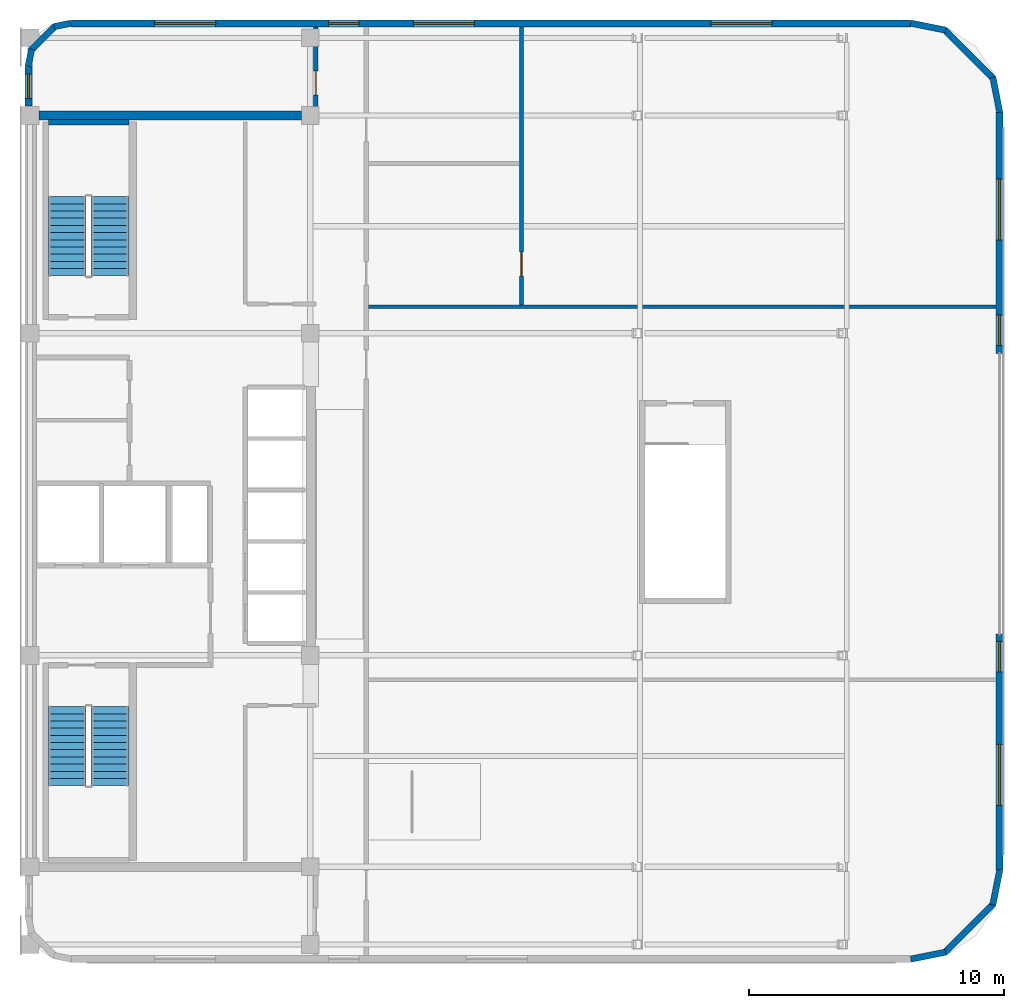
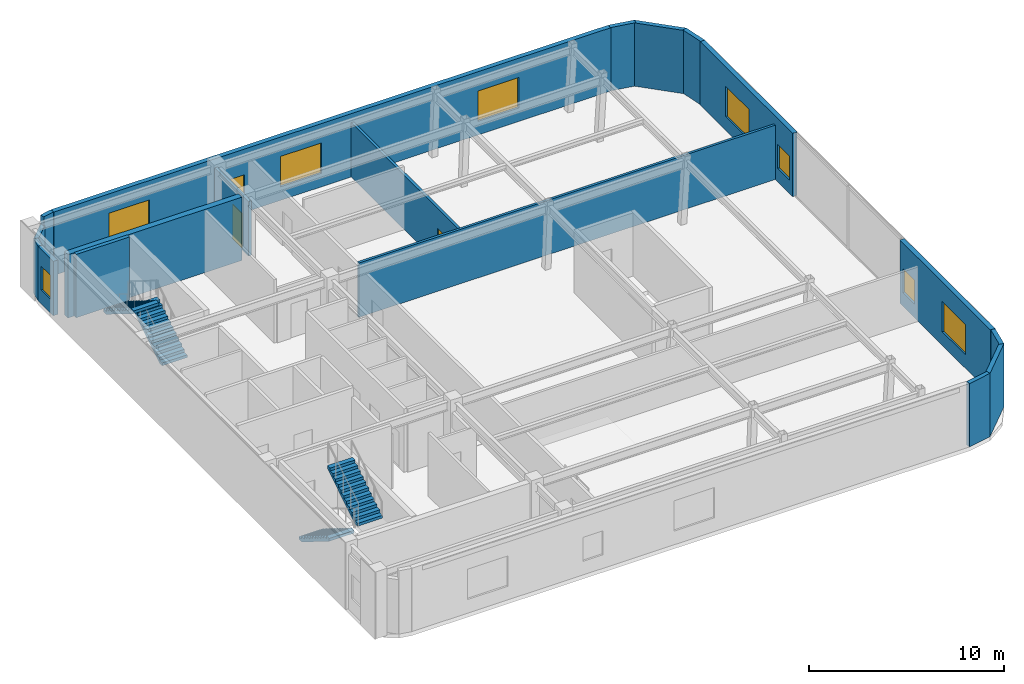
# One storey, part 5 of 8: 18 walls, 9 windows, 4 stair flights, 2 doors, 11 openings, 2 elements without a shape of their own.
"""IFC4 building model written with IfcOpenShell, lengths in metres."""

from ifc_helpers import new_model, si_unit, direction, frame, frame_2d, origin, place, context, subcontext, project, spatial, polyline, rectangle, outline, extrude, material, layer, layer_set, type_object, element, fill, aggregate, save


model = new_model("IFC4")

# Units and contexts
model_context = context("Model", 3, precision=1e-05, world=origin(), true_north=direction((0.0, 1.0)))
body_context = subcontext(model_context, "Body", "Model", "MODEL_VIEW")
ifc_project = project(units=[si_unit("LENGTHUNIT", "METRE"), si_unit("AREAUNIT", "SQUARE_METRE"), si_unit("VOLUMEUNIT", "CUBIC_METRE"), si_unit("PLANEANGLEUNIT", "RADIAN"), si_unit("MASSUNIT", "GRAM", prefix="KILO")], contexts=[model_context])

# Site, building, storey
site_placement = place(None, origin())
site = spatial("IfcSite", under=ifc_project, at=site_placement, CompositionType="ELEMENT")
building_placement = place(site_placement, origin())
building = spatial("IfcBuilding", under=site, at=building_placement, Name="Ochreholt Gables", CompositionType="ELEMENT")
storey_placement = place(building_placement, frame((0.0, 0.0, 231.0)))
storey = spatial("IfcBuildingStorey", under=building, at=storey_placement, Name="L60", CompositionType="ELEMENT", Elevation=231.0)

# Wall
ifc_material_1 = material(Name="Concrete 50 MPa", Category="concrete")
ifc_layer_1 = layer(ifc_material_1, 0.35009765625, Name="Concrete 50 MPa")
ifc_layer_set_1 = layer_set([ifc_layer_1], Name="Concrete 50 MPa")
wall_type_1 = type_object("IfcWallType", Name="WALL-CSW-350", PredefinedType="SHEAR", material=ifc_layer_set_1)
wall_1_placement = place(storey_placement, frame((24.550048828125, 38.75, 0.0), z_axis=(0.0, 0.0, 1.0), x_axis=(1.0, 0.0, 0.0)))
element("IfcWall", 1, at=wall_1_placement, inside=storey, type_object=wall_type_1, Name="L60 Core North Shear Wall", PredefinedType="SHEAR", context=body_context, shape_type="SweptSolid", body=[
    extrude(rectangle(XDim=10.300048828125, YDim=0.35009765625, at=frame_2d((5.14990234375, 0.0))), origin(), (0.0, 0.0, 1.0), 3.9599609375),
])

# Wall, openings, windows
ifc_material_2 = material(Name="Precast concrete 40 MPa", Category="concrete")
ifc_layer_2 = layer(ifc_material_2, 0.27001953125, Name="Precast concrete 40 MPa")
ifc_layer_set_2 = layer_set([ifc_layer_2], Name="Precast concrete 40 MPa")
wall_type_2 = type_object("IfcWallType", Name="WALL-EXT-270", PredefinedType="SOLIDWALL", material=ifc_layer_set_2)
wall_2_placement = place(storey_placement, frame((62.264892578125, 9.1201171875, 0.0), z_axis=(0.0, 0.0, 1.0), x_axis=(0.0, 1.0, 0.0)))
wall_2 = element("IfcWall", 2, at=wall_2_placement, inside=storey, type_object=wall_type_2, Name="L60 East Facade Wall 1", PredefinedType="SOLIDWALL", context=body_context, shape_type="SweptSolid", body=[
    extrude(rectangle(XDim=9.27978515625, YDim=0.27001953125, at=frame_2d((4.639892578125, 0.0))), origin(), (0.0, 0.0, 1.0), 3.9599609375),
])
opening_1_placement = place(wall_2_placement, frame((2.5400390625, 0.0, 0.85009765625)))
opening_1 = element("IfcOpeningElement", 3, at=opening_1_placement, cuts=wall_2, Name="Opening WN-5", PredefinedType="OPENING", context=body_context, shape_type="SweptSolid", body=[
    extrude(rectangle(XDim=2.39990234375, YDim=1.89990234375, at=frame_2d((1.199951171875, 0.949951171875))), frame((0.0, 0.14501953125, 0.0), z_axis=(0.0, -1.0, 0.0), x_axis=(1.0, 0.0, 0.0)), (0.0, 0.0, 1.0), 0.2900390625),
])
opening_2_placement = place(wall_2_placement, frame((7.780029296875, 0.0, 0.85009765625)))
opening_2 = element("IfcOpeningElement", 4, at=opening_2_placement, cuts=wall_2, Name="Opening WN-3", PredefinedType="OPENING", context=body_context, shape_type="SweptSolid", body=[
    extrude(rectangle(XDim=1.199951171875, YDim=1.5, at=frame_2d((0.60009765625, 0.75))), frame((0.0, 0.14501953125, 0.0), z_axis=(0.0, -1.0, 0.0), x_axis=(1.0, 0.0, 0.0)), (0.0, 0.0, 1.0), 0.2900390625),
])
ifc_material_3 = material(Name="Triple-Glazed Thermally Broken Aluminium Window", Category="aluminium")
window_type_1 = type_object("IfcWindowType", Name="WIN-COM-2400", PartitioningType="SINGLE_PANEL", PredefinedType="WINDOW", material=ifc_material_3)
window_1_placement = place(opening_1_placement, origin())
window_1 = element("IfcWindow", 5, at=window_1_placement, inside=storey, type_object=window_type_1, Name="L60 Window W-EXT-E1-L60-1", OverallHeight=1.89990234375, OverallWidth=2.39990234375, PartitioningType="SINGLE_PANEL", PredefinedType="WINDOW", context=body_context, shape_type="SweptSolid", body=[
    extrude(rectangle(XDim=2.39990234375, YDim=1.89990234375, at=frame_2d((1.199951171875, 0.949951171875))), frame((0.0, 0.030029296875, 0.0), z_axis=(0.0, -1.0, 0.0), x_axis=(1.0, 0.0, 0.0)), (0.0, 0.0, 1.0), 0.06005859375),
])
fill(opening_1, window_1)
window_type_2 = type_object("IfcWindowType", Name="WIN-RES-1200", PartitioningType="SINGLE_PANEL", PredefinedType="WINDOW", material=ifc_material_3)
window_2_placement = place(opening_2_placement, origin())
window_2 = element("IfcWindow", 6, at=window_2_placement, inside=storey, type_object=window_type_2, Name="L60 Window W-EXT-E1-L60-2", OverallHeight=1.5, OverallWidth=1.199951171875, PartitioningType="SINGLE_PANEL", PredefinedType="WINDOW", context=body_context, shape_type="SweptSolid", body=[
    extrude(rectangle(XDim=1.199951171875, YDim=1.5, at=frame_2d((0.60009765625, 0.75))), frame((0.0, 0.030029296875, 0.0), z_axis=(0.0, -1.0, 0.0), x_axis=(1.0, 0.0, 0.0)), (0.0, 0.0, 1.0), 0.06005859375),
])
fill(opening_2, window_2)

wall_3_placement = place(storey_placement, frame((62.264892578125, 29.39990234375, 0.0), z_axis=(0.0, 0.0, 1.0), x_axis=(0.0, 1.0, 0.0)))
wall_3 = element("IfcWall", 7, at=wall_3_placement, inside=storey, type_object=wall_type_2, Name="L60 East Facade Wall 2", PredefinedType="SOLIDWALL", context=body_context, shape_type="SweptSolid", body=[
    extrude(rectangle(XDim=9.47998046875, YDim=0.27001953125, at=frame_2d((4.739990234375, 0.0))), origin(), (0.0, 0.0, 1.0), 3.9599609375),
])
opening_3_placement = place(wall_3_placement, frame((0.320068359375, 0.0, 0.85009765625)))
opening_3 = element("IfcOpeningElement", 8, at=opening_3_placement, cuts=wall_3, Name="Opening WN-3", PredefinedType="OPENING", context=body_context, shape_type="SweptSolid", body=[
    extrude(rectangle(XDim=1.199951171875, YDim=1.5, at=frame_2d((0.60009765625, 0.75))), frame((0.0, 0.14501953125, 0.0), z_axis=(0.0, -1.0, 0.0), x_axis=(1.0, 0.0, 0.0)), (0.0, 0.0, 1.0), 0.2900390625),
])
opening_4_placement = place(wall_3_placement, frame((4.4599609375, 0.0, 0.85009765625)))
opening_4 = element("IfcOpeningElement", 9, at=opening_4_placement, cuts=wall_3, Name="Opening WN-5", PredefinedType="OPENING", context=body_context, shape_type="SweptSolid", body=[
    extrude(rectangle(XDim=2.39990234375, YDim=1.89990234375, at=frame_2d((1.199951171875, 0.949951171875))), frame((0.0, 0.14501953125, 0.0), z_axis=(0.0, -1.0, 0.0), x_axis=(1.0, 0.0, 0.0)), (0.0, 0.0, 1.0), 0.2900390625),
])
window_3_placement = place(opening_4_placement, origin())
window_3 = element("IfcWindow", 10, at=window_3_placement, inside=storey, type_object=window_type_1, Name="L60 Window W-EXT-E2-L60-2", OverallHeight=1.89990234375, OverallWidth=2.39990234375, PartitioningType="SINGLE_PANEL", PredefinedType="WINDOW", context=body_context, shape_type="SweptSolid", body=[
    extrude(rectangle(XDim=2.39990234375, YDim=1.89990234375, at=frame_2d((1.199951171875, 0.949951171875))), frame((0.0, 0.030029296875, 0.0), z_axis=(0.0, -1.0, 0.0), x_axis=(1.0, 0.0, 0.0)), (0.0, 0.0, 1.0), 0.06005859375),
])
fill(opening_4, window_3)
window_4_placement = place(opening_3_placement, origin())
window_4 = element("IfcWindow", 11, at=window_4_placement, inside=storey, type_object=window_type_2, Name="L60 Window W-EXT-E2-L60-1", OverallHeight=1.5, OverallWidth=1.199951171875, PartitioningType="SINGLE_PANEL", PredefinedType="WINDOW", context=body_context, shape_type="SweptSolid", body=[
    extrude(rectangle(XDim=1.199951171875, YDim=1.5, at=frame_2d((0.60009765625, 0.75))), frame((0.0, 0.030029296875, 0.0), z_axis=(0.0, -1.0, 0.0), x_axis=(1.0, 0.0, 0.0)), (0.0, 0.0, 1.0), 0.06005859375),
])
fill(opening_3, window_4)

wall_4_placement = place(storey_placement, frame((58.780029296875, 42.364990234375, 0.0), z_axis=(0.0, 0.0, 1.0), x_axis=(-1.0, 0.0, 0.0)))
wall_4 = element("IfcWall", 12, at=wall_4_placement, inside=storey, type_object=wall_type_2, Name="L60 North Exterior Wall", PredefinedType="SOLIDWALL", context=body_context, shape_type="SweptSolid", body=[
    extrude(rectangle(XDim=32.9599609375, YDim=0.27001953125, at=frame_2d((16.47998046875, 0.0))), origin(), (0.0, 0.0, 1.0), 3.9599609375),
])
opening_5_placement = place(wall_4_placement, frame((27.2900390625, 0.0, 0.85009765625)))
opening_5 = element("IfcOpeningElement", 13, at=opening_5_placement, cuts=wall_4, Name="Opening WN-5", PredefinedType="OPENING", context=body_context, shape_type="SweptSolid", body=[
    extrude(rectangle(XDim=2.39990234375, YDim=1.89990234375, at=frame_2d((1.199951171875, 0.949951171875))), frame((0.0, 0.14501953125, 0.0), z_axis=(0.0, -1.0, 0.0), x_axis=(1.0, 0.0, 0.0)), (0.0, 0.0, 1.0), 0.2900390625),
])
opening_6_placement = place(wall_4_placement, frame((21.659912109375, 0.0, 0.85009765625)))
opening_6 = element("IfcOpeningElement", 14, at=opening_6_placement, cuts=wall_4, Name="Opening WN-3", PredefinedType="OPENING", context=body_context, shape_type="SweptSolid", body=[
    extrude(rectangle(XDim=1.199951171875, YDim=1.5, at=frame_2d((0.60009765625, 0.75))), frame((0.0, 0.14501953125, 0.0), z_axis=(0.0, -1.0, 0.0), x_axis=(1.0, 0.0, 0.0)), (0.0, 0.0, 1.0), 0.2900390625),
])
opening_7_placement = place(wall_4_placement, frame((17.1298828125, 0.0, 0.85009765625)))
opening_7 = element("IfcOpeningElement", 15, at=opening_7_placement, cuts=wall_4, Name="Opening WN-5", PredefinedType="OPENING", context=body_context, shape_type="SweptSolid", body=[
    extrude(rectangle(XDim=2.39990234375, YDim=1.89990234375, at=frame_2d((1.199951171875, 0.949951171875))), frame((0.0, 0.14501953125, 0.0), z_axis=(0.0, -1.0, 0.0), x_axis=(1.0, 0.0, 0.0)), (0.0, 0.0, 1.0), 0.2900390625),
])
opening_8_placement = place(wall_4_placement, frame((5.444580078125, 0.0, 0.85009765625)))
opening_8 = element("IfcOpeningElement", 16, at=opening_8_placement, cuts=wall_4, Name="Opening WN-5", PredefinedType="OPENING", context=body_context, shape_type="SweptSolid", body=[
    extrude(rectangle(XDim=2.39990234375, YDim=1.89990234375, at=frame_2d((1.199951171875, 0.949951171875))), frame((0.0, 0.14501953125, 0.0), z_axis=(0.0, -1.0, 0.0), x_axis=(1.0, 0.0, 0.0)), (0.0, 0.0, 1.0), 0.2900390625),
])
window_5_placement = place(opening_5_placement, origin())
window_5 = element("IfcWindow", 17, at=window_5_placement, inside=storey, type_object=window_type_1, Name="L60 Window W-EXT-N-L60-1", OverallHeight=1.89990234375, OverallWidth=2.39990234375, PartitioningType="SINGLE_PANEL", PredefinedType="WINDOW", context=body_context, shape_type="SweptSolid", body=[
    extrude(rectangle(XDim=2.39990234375, YDim=1.89990234375, at=frame_2d((1.199951171875, 0.949951171875))), frame((0.0, 0.030029296875, 0.0), z_axis=(0.0, -1.0, 0.0), x_axis=(1.0, 0.0, 0.0)), (0.0, 0.0, 1.0), 0.06005859375),
])
fill(opening_5, window_5)
window_6_placement = place(opening_7_placement, origin())
window_6 = element("IfcWindow", 18, at=window_6_placement, inside=storey, type_object=window_type_1, Name="L60 Window W-EXT-N-L60-3", OverallHeight=1.89990234375, OverallWidth=2.39990234375, PartitioningType="SINGLE_PANEL", PredefinedType="WINDOW", context=body_context, shape_type="SweptSolid", body=[
    extrude(rectangle(XDim=2.39990234375, YDim=1.89990234375, at=frame_2d((1.199951171875, 0.949951171875))), frame((0.0, 0.030029296875, 0.0), z_axis=(0.0, -1.0, 0.0), x_axis=(1.0, 0.0, 0.0)), (0.0, 0.0, 1.0), 0.06005859375),
])
fill(opening_7, window_6)
window_7_placement = place(opening_8_placement, origin())
window_7 = element("IfcWindow", 19, at=window_7_placement, inside=storey, type_object=window_type_1, Name="L60 Window W-EXT-N-L60-4", OverallHeight=1.89990234375, OverallWidth=2.39990234375, PartitioningType="SINGLE_PANEL", PredefinedType="WINDOW", context=body_context, shape_type="SweptSolid", body=[
    extrude(rectangle(XDim=2.39990234375, YDim=1.89990234375, at=frame_2d((1.199951171875, 0.949951171875))), frame((0.0, 0.030029296875, 0.0), z_axis=(0.0, -1.0, 0.0), x_axis=(1.0, 0.0, 0.0)), (0.0, 0.0, 1.0), 0.06005859375),
])
fill(opening_8, window_7)
window_8_placement = place(opening_6_placement, origin())
window_8 = element("IfcWindow", 20, at=window_8_placement, inside=storey, type_object=window_type_2, Name="L60 Window W-EXT-N-L60-2", OverallHeight=1.5, OverallWidth=1.199951171875, PartitioningType="SINGLE_PANEL", PredefinedType="WINDOW", context=body_context, shape_type="SweptSolid", body=[
    extrude(rectangle(XDim=1.199951171875, YDim=1.5, at=frame_2d((0.60009765625, 0.75))), frame((0.0, 0.030029296875, 0.0), z_axis=(0.0, -1.0, 0.0), x_axis=(1.0, 0.0, 0.0)), (0.0, 0.0, 1.0), 0.06005859375),
])
fill(opening_6, window_8)

# Wall, opening, window
wall_5_placement = place(storey_placement, frame((24.135009765625, 39.1201171875, 0.0), z_axis=(0.0, 0.0, 1.0), x_axis=(0.0, 1.0, 0.0)))
wall_5 = element("IfcWall", 21, at=wall_5_placement, inside=storey, type_object=wall_type_2, Name="L60 West Facade North Bay Wall", PredefinedType="SOLIDWALL", context=body_context, shape_type="SweptSolid", body=[
    extrude(rectangle(XDim=1.559814453125, YDim=0.27001953125, at=frame_2d((0.77978515625, 0.0))), origin(), (0.0, 0.0, 1.0), 3.403076171875),
])
opening_9_placement = place(wall_5_placement, frame((0.304931640625, 0.0, 0.85009765625)))
opening_9 = element("IfcOpeningElement", 22, at=opening_9_placement, cuts=wall_5, Name="Opening WN-10", PredefinedType="OPENING", context=body_context, shape_type="SweptSolid", body=[
    extrude(rectangle(XDim=0.949951171875, YDim=1.5, at=frame_2d((0.47509765625, 0.75))), frame((0.0, 0.14501953125, 0.0), z_axis=(0.0, -1.0, 0.0), x_axis=(1.0, 0.0, 0.0)), (0.0, 0.0, 1.0), 0.2900390625),
])
window_type_3 = type_object("IfcWindowType", Name="WIN-RES-950", PartitioningType="SINGLE_PANEL", PredefinedType="WINDOW", material=ifc_material_3)
window_9_placement = place(opening_9_placement, origin())
window_9 = element("IfcWindow", 23, at=window_9_placement, inside=storey, type_object=window_type_3, Name="L60 North Sky Reading West Window", OverallHeight=1.5, OverallWidth=0.949951171875, PartitioningType="SINGLE_PANEL", PredefinedType="WINDOW", context=body_context, shape_type="SweptSolid", body=[
    extrude(rectangle(XDim=0.949951171875, YDim=1.5, at=frame_2d((0.47509765625, 0.75))), frame((0.0, 0.030029296875, 0.0), z_axis=(0.0, -1.0, 0.0), x_axis=(1.0, 0.0, 0.0)), (0.0, 0.0, 1.0), 0.06005859375),
])
fill(opening_9, window_9)

# Walls
ifc_layer_3 = layer(ifc_material_2, 0.25, Name="Precast concrete 40 MPa")
ifc_layer_set_3 = layer_set([ifc_layer_3], Name="Precast concrete 40 MPa")
wall_type_3 = type_object("IfcWallType", Name="WALL-EXT-CNR", PredefinedType="SOLIDWALL", material=ifc_layer_set_3)
wall_6_placement = place(storey_placement, frame((58.783447265625, 5.624267578125, 0.0), z_axis=(0.0, 0.0, 1.0), x_axis=(0.980809899341, 0.19496651342, 0.0)))
element("IfcWall", 24, at=wall_6_placement, inside=storey, type_object=wall_type_3, Name="L60 Rounded Corner Wall SE-1", PredefinedType="SOLIDWALL", context=body_context, shape_type="SweptSolid", body=[
    extrude(rectangle(XDim=1.388671875, YDim=0.25, at=frame_2d((0.6943359375, 0.0))), origin(), (0.0, 0.0, 1.0), 3.9599609375),
])
wall_7_placement = place(storey_placement, frame((60.094970703125, 5.867919921875, 0.0), z_axis=(0.0, 0.0, 1.0), x_axis=(0.707106781187, 0.707106781187, 0.0)))
element("IfcWall", 25, at=wall_7_placement, inside=storey, type_object=wall_type_3, Name="L60 Rounded Corner Wall SE-2", PredefinedType="SOLIDWALL", context=body_context, shape_type="SweptSolid", body=[
    extrude(rectangle(XDim=2.7392578125, YDim=0.25, at=frame_2d((1.36962890625, 0.0))), origin(), (0.0, 0.0, 1.0), 3.9599609375),
])
for number, where, z_axis, x_axis, name in (
    (26, (62.0048828125, 7.75439453125, 0.0), (0.0, 0.0, 1.0), (0.195135625965, 0.9807762678, 0.0), "L60 Rounded Corner Wall SE-3"),
    (27, (62.27587890625, 38.883544921875, 0.0), (0.0, 0.0, 1.0), (-0.195135625965, 0.9807762678, 0.0), "L60 Rounded Corner Wall NE-1"),
):
    element("IfcWall", number, at=place(storey_placement, frame(where, z_axis=z_axis, x_axis=x_axis)), inside=storey, type_object=wall_type_3, Name=name, PredefinedType="SOLIDWALL", context=body_context, shape_type="SweptSolid", body=[
        extrude(rectangle(XDim=1.388671875, YDim=0.25, at=frame_2d((0.6943359375, 0.0))), origin(), (0.0, 0.0, 1.0), 3.9599609375),
    ])
wall_8_placement = place(storey_placement, frame((62.031982421875, 40.195068359375, 0.0), z_axis=(0.0, 0.0, 1.0), x_axis=(-0.707106781187, 0.707106781187, 0.0)))
element("IfcWall", 28, at=wall_8_placement, inside=storey, type_object=wall_type_3, Name="L60 Rounded Corner Wall NE-2", PredefinedType="SOLIDWALL", context=body_context, shape_type="SweptSolid", body=[
    extrude(rectangle(XDim=2.7392578125, YDim=0.25, at=frame_2d((1.36962890625, 0.0))), origin(), (0.0, 0.0, 1.0), 3.9599609375),
])
wall_9_placement = place(storey_placement, frame((60.1455078125, 42.10498046875, 0.0), z_axis=(0.0, 0.0, 1.0), x_axis=(-0.980809899341, 0.19496651342, 0.0)))
element("IfcWall", 29, at=wall_9_placement, inside=storey, type_object=wall_type_3, Name="L60 Rounded Corner Wall NE-3", PredefinedType="SOLIDWALL", context=body_context, shape_type="SweptSolid", body=[
    extrude(rectangle(XDim=1.388671875, YDim=0.25, at=frame_2d((0.6943359375, 0.0))), origin(), (0.0, 0.0, 1.0), 3.9599609375),
])
wall_10_placement = place(storey_placement, frame((25.81640625, 42.375732421875, 0.0), z_axis=(0.0, 0.0, 1.0), x_axis=(-0.980812594069, -0.194952956674, 0.0)))
element("IfcWall", 30, at=wall_10_placement, inside=storey, type_object=wall_type_3, Name="L60 Rounded Corner Wall NW-1", PredefinedType="SOLIDWALL", context=body_context, shape_type="SweptSolid", body=[
    extrude(rectangle(XDim=0.686279296875, YDim=0.25, at=frame_2d((0.34326171875, 0.0))), origin(), (0.0, 0.0, 1.0), 3.9599609375),
])
wall_11_placement = place(storey_placement, frame((25.19384765625, 42.26904296875, 0.0), z_axis=(0.0, 0.0, 1.0), x_axis=(-0.707106781187, -0.707106781187, 0.0)))
element("IfcWall", 31, at=wall_11_placement, inside=storey, type_object=wall_type_3, Name="L60 Rounded Corner Wall NW-2", PredefinedType="SOLIDWALL", context=body_context, shape_type="SweptSolid", body=[
    extrude(rectangle(XDim=1.36181640625, YDim=0.25, at=frame_2d((0.680908203125, 0.0))), origin(), (0.0, 0.0, 1.0), 3.403076171875),
])
wall_12_placement = place(storey_placement, frame((24.258056640625, 41.356689453125, 0.0), z_axis=(0.0, 0.0, 1.0), x_axis=(-0.194952956674, -0.980812594069, 0.0)))
element("IfcWall", 32, at=wall_12_placement, inside=storey, type_object=wall_type_3, Name="L60 Rounded Corner Wall NW-3", PredefinedType="SOLIDWALL", context=body_context, shape_type="SweptSolid", body=[
    extrude(rectangle(XDim=0.686279296875, YDim=0.25, at=frame_2d((0.34326171875, 0.0))), origin(), (0.0, 0.0, 1.0), 3.403076171875),
])

# Wall, opening, door
ifc_material_4 = material(Name="Fire-Rated Gypsum Acoustic Partition", Category="gypsum")
ifc_layer_4 = layer(ifc_material_4, 0.179931640625, Name="Fire-Rated Gypsum Acoustic Partition")
ifc_layer_set_4 = layer_set([ifc_layer_4], Name="Fire-Rated Gypsum Acoustic Partition")
wall_type_4 = type_object("IfcWallType", Name="WALL-INT-CR180", PredefinedType="STANDARD", material=ifc_layer_set_4)
wall_13_placement = place(storey_placement, frame((35.419921875, 38.75, 0.0), z_axis=(0.0, 0.0, 1.0), x_axis=(0.0, 1.0, 0.0)))
wall_13 = element("IfcWall", 33, at=wall_13_placement, inside=storey, type_object=wall_type_4, Name="L60 Interior Wall WI-CMCNW0-L60", PredefinedType="STANDARD", context=body_context, shape_type="SweptSolid", body=[
    extrude(rectangle(XDim=3.47998046875, YDim=0.179931640625, at=frame_2d((1.739990234375, 0.0))), origin(), (0.0, 0.0, 1.0), 3.403076171875),
])
opening_10_placement = place(wall_13_placement, frame((0.800048828125, 0.0, 0.0)))
opening_10 = element("IfcOpeningElement", 34, at=opening_10_placement, cuts=wall_13, Name="Opening D-GN1", PredefinedType="OPENING", context=body_context, shape_type="SweptSolid", body=[
    extrude(rectangle(XDim=0.949951171875, YDim=2.14990234375, at=frame_2d((0.47509765625, 1.074951171875))), frame((0.0, 0.099853515625, 0.0), z_axis=(0.0, -1.0, 0.0), x_axis=(1.0, 0.0, 0.0)), (0.0, 0.0, 1.0), 0.199951171875),
])
ifc_material_5 = material(Name="Engineered Oak Timber", Category="wood")
door_type = type_object("IfcDoorType", Name="DR-INT-GEN950", OperationType="NOTDEFINED", PredefinedType="DOOR", material=ifc_material_5)
door_1_placement = place(opening_10_placement, origin())
door_1 = element("IfcDoor", 35, at=door_1_placement, inside=storey, type_object=door_type, Name="L60 Door D-CMCN-L60", OperationType="SINGLE_SWING_RIGHT", OverallHeight=2.14990234375, OverallWidth=0.949951171875, PredefinedType="DOOR", context=body_context, shape_type="SweptSolid", body=[
    extrude(rectangle(XDim=0.949951171875, YDim=2.14990234375, at=frame_2d((0.47509765625, 1.074951171875))), frame((0.0, 0.02490234375, 0.0), z_axis=(0.0, -1.0, 0.0), x_axis=(1.0, 0.0, 0.0)), (0.0, 0.0, 1.0), 0.050048828125),
])
fill(opening_10, door_1)

ifc_material_6 = material(Name="Moisture-Resistant Plumbing Chase Wall", Category="gypsum")
ifc_layer_5 = layer(ifc_material_6, 0.159912109375, Name="Moisture-Resistant Plumbing Chase Wall")
ifc_layer_set_5 = layer_set([ifc_layer_5], Name="Moisture-Resistant Plumbing Chase Wall")
wall_type_5 = type_object("IfcWallType", Name="WALL-INT-PL160", PredefinedType="PLUMBINGWALL", material=ifc_layer_set_5)
wall_14_placement = place(storey_placement, frame((43.5, 31.3125, 0.0), z_axis=(0.0, 0.0, 1.0), x_axis=(0.0, 1.0, 0.0)))
wall_14 = element("IfcWall", 36, at=wall_14_placement, inside=storey, type_object=wall_type_5, Name="L60 Interior Wall WI-CMWC-L60", PredefinedType="PLUMBINGWALL", context=body_context, shape_type="SweptSolid", body=[
    extrude(rectangle(XDim=10.91748046875, YDim=0.159912109375, at=frame_2d((5.458740234375, 0.0))), origin(), (0.0, 0.0, 1.0), 3.403076171875),
])
opening_11_placement = place(wall_14_placement, frame((1.12744140625, 0.0, 0.0)))
opening_11 = element("IfcOpeningElement", 37, at=opening_11_placement, cuts=wall_14, Name="Opening D-GN1", PredefinedType="OPENING", context=body_context, shape_type="SweptSolid", body=[
    extrude(rectangle(XDim=0.949951171875, YDim=2.14990234375, at=frame_2d((0.47509765625, 1.074951171875))), frame((0.0, 0.08984375, 0.0), z_axis=(0.0, -1.0, 0.0), x_axis=(1.0, 0.0, 0.0)), (0.0, 0.0, 1.0), 0.179931640625),
])
door_2_placement = place(opening_11_placement, origin())
door_2 = element("IfcDoor", 38, at=door_2_placement, inside=storey, type_object=door_type, Name="L60 Door D-CMNE-L60", OperationType="SINGLE_SWING_LEFT", OverallHeight=2.14990234375, OverallWidth=0.949951171875, PredefinedType="DOOR", context=body_context, shape_type="SweptSolid", body=[
    extrude(rectangle(XDim=0.949951171875, YDim=2.14990234375, at=frame_2d((0.47509765625, 1.074951171875))), frame((0.0, 0.02490234375, 0.0), z_axis=(0.0, -1.0, 0.0), x_axis=(1.0, 0.0, 0.0)), (0.0, 0.0, 1.0), 0.050048828125),
])
fill(opening_11, door_2)

# Walls
ifc_material_7 = material(Name="Lightweight Stud Partition", Category="gypsum")
ifc_layer_6 = layer(ifc_material_7, 0.14501953125, Name="Lightweight Stud Partition")
ifc_layer_set_6 = layer_set([ifc_layer_6], Name="Lightweight Stud Partition")
wall_type_6 = type_object("IfcWallType", Name="WALL-INT-PT145", PredefinedType="PARTITIONING", material=ifc_layer_set_6)
wall_15_placement = place(storey_placement, frame((37.489990234375, 31.239990234375, 0.0), z_axis=(0.0, 0.0, 1.0), x_axis=(1.0, 0.0, 0.0)))
element("IfcWall", 39, at=wall_15_placement, inside=storey, type_object=wall_type_6, Name="L60 Interior Wall WI-CME2-L60", PredefinedType="PARTITIONING", context=body_context, shape_type="SweptSolid", body=[
    extrude(rectangle(XDim=24.639892578125, YDim=0.14501953125, at=frame_2d((12.31982421875, 0.0))), origin(), (0.0, 0.0, 1.0), 3.403076171875),
])
ifc_layer_7 = layer(ifc_material_1, 0.219970703125, Name="Concrete 50 MPa")
ifc_layer_set_7 = layer_set([ifc_layer_7], Name="Concrete 50 MPa")
wall_type_7 = type_object("IfcWallType", Name="WALL-STW-220", PredefinedType="SHEAR", material=ifc_layer_set_7)
wall_16_placement = place(storey_placement, frame((24.919921875, 38.489990234375, 0.0), z_axis=(0.0, 0.0, 1.0), x_axis=(1.0, 0.0, 0.0)))
element("IfcWall", 40, at=wall_16_placement, inside=storey, type_object=wall_type_7, Name="L60 Exit Stair 2 North Wall", PredefinedType="SHEAR", context=body_context, shape_type="SweptSolid", body=[
    extrude(rectangle(XDim=3.16015625, YDim=0.219970703125, at=frame_2d((1.580078125, 0.0))), origin(), (0.0, 0.0, 1.0), 3.9599609375),
])

# Stair, stair flights
ifc_material_8 = material(Name="Concrete 40 MPa", Category="concrete")
stair_type_1 = type_object("IfcStairType", Name="STAIR-CORE-ST-1", PredefinedType="HALF_TURN_STAIR", material=ifc_material_8)
stair_1_placement = place(storey_placement, origin())
stair_1 = element("IfcStair", 41, at=stair_1_placement, inside=storey, type_object=stair_type_1, Name="L60 Core Exit Stair 1", PredefinedType="HALF_TURN_STAIR")
stair_flight_type = type_object("IfcStairFlightType", Name="FLIGHT-ST-1480-1750", PredefinedType="STRAIGHT", material=ifc_material_8)
stair_flight_1_placement = place(storey_placement, frame((25.659912109375, 15.5400390625, 0.0), z_axis=(0.0, 0.0, 1.0), x_axis=(0.0, -1.0, 0.0)))
stair_flight_1 = element("IfcStairFlight", 42, at=stair_flight_1_placement, type_object=stair_flight_type, Name="ST-1 flight 1", NumberOfRisers=12, NumberOfTreads=11, PredefinedType="STRAIGHT", RiserHeight=0.175, TreadLength=0.282, context=body_context, shape_type="SweptSolid", body=[
    extrude(outline(polyline([(0.0, 0.0), (0.0, 0.175048828125), (0.281982421875, 0.175048828125), (0.281982421875, 0.35009765625), (0.56396484375, 0.35009765625), (0.56396484375, 0.52490234375), (0.845947265625, 0.52490234375), (0.845947265625, 0.699951171875), (1.1279296875, 0.699951171875), (1.1279296875, 0.875), (1.409912109375, 0.875), (1.409912109375, 1.050048828125), (1.69189453125, 1.050048828125), (1.69189453125, 1.22509765625), (1.97412109375, 1.22509765625), (1.97412109375, 1.39990234375), (2.256103515625, 1.39990234375), (2.256103515625, 1.574951171875), (2.5380859375, 1.574951171875), (2.5380859375, 1.75), (2.820068359375, 1.75), (2.820068359375, 1.925048828125), (3.10205078125, 1.925048828125), (3.10205078125, 2.10009765625), (3.10205078125, 1.74853515625), (0.2841796875, 0.0), (0.0, 0.0)])), frame((0.0, 0.739990234375, 0.0), z_axis=(0.0, -1.0, 0.0), x_axis=(1.0, 0.0, 0.0)), (0.0, 0.0, 1.0), 1.47998046875),
])
stair_flight_2_placement = place(storey_placement, frame((27.340087890625, 12.43798828125, 2.10009765625), z_axis=(0.0, 0.0, 1.0), x_axis=(0.0, 1.0, 0.0)))
stair_flight_2 = element("IfcStairFlight", 43, at=stair_flight_2_placement, type_object=stair_flight_type, Name="ST-1 flight 2", NumberOfRisers=12, NumberOfTreads=11, PredefinedType="STRAIGHT", RiserHeight=0.175, TreadLength=0.282, context=body_context, shape_type="SweptSolid", body=[
    extrude(outline(polyline([(0.0, 0.0), (0.0, 0.175048828125), (0.281982421875, 0.175048828125), (0.281982421875, 0.35009765625), (0.56396484375, 0.35009765625), (0.56396484375, 0.52490234375), (0.845947265625, 0.52490234375), (0.845947265625, 0.699951171875), (1.1279296875, 0.699951171875), (1.1279296875, 0.875), (1.409912109375, 0.875), (1.409912109375, 1.050048828125), (1.69189453125, 1.050048828125), (1.69189453125, 1.22509765625), (1.97412109375, 1.22509765625), (1.97412109375, 1.39990234375), (2.256103515625, 1.39990234375), (2.256103515625, 1.574951171875), (2.5380859375, 1.574951171875), (2.5380859375, 1.75), (2.820068359375, 1.75), (2.820068359375, 1.925048828125), (3.10205078125, 1.925048828125), (3.10205078125, 2.10009765625), (3.10205078125, 1.74853515625), (0.2841796875, 0.0), (0.0, 0.0)])), frame((0.0, 0.739990234375, 0.0), z_axis=(0.0, -1.0, 0.0), x_axis=(1.0, 0.0, 0.0)), (0.0, 0.0, 1.0), 1.47998046875),
])
aggregate(stair_1, [stair_flight_1, stair_flight_2])

stair_type_2 = type_object("IfcStairType", Name="STAIR-CORE-ST-2", PredefinedType="HALF_TURN_STAIR", material=ifc_material_8)
stair_2_placement = place(storey_placement, origin())
stair_2 = element("IfcStair", 44, at=stair_2_placement, inside=storey, type_object=stair_type_2, Name="L60 Core Exit Stair 2", PredefinedType="HALF_TURN_STAIR")
stair_flight_3_placement = place(storey_placement, frame((27.340087890625, 32.4599609375, 0.0), z_axis=(0.0, 0.0, 1.0), x_axis=(0.0, 1.0, 0.0)))
stair_flight_3 = element("IfcStairFlight", 45, at=stair_flight_3_placement, type_object=stair_flight_type, Name="ST-2 flight 1", NumberOfRisers=12, NumberOfTreads=11, PredefinedType="STRAIGHT", RiserHeight=0.175, TreadLength=0.282, context=body_context, shape_type="SweptSolid", body=[
    extrude(outline(polyline([(0.0, 0.0), (0.0, 0.175048828125), (0.281982421875, 0.175048828125), (0.281982421875, 0.35009765625), (0.56396484375, 0.35009765625), (0.56396484375, 0.52490234375), (0.845947265625, 0.52490234375), (0.845947265625, 0.699951171875), (1.1279296875, 0.699951171875), (1.1279296875, 0.875), (1.409912109375, 0.875), (1.409912109375, 1.050048828125), (1.69189453125, 1.050048828125), (1.69189453125, 1.22509765625), (1.97412109375, 1.22509765625), (1.97412109375, 1.39990234375), (2.256103515625, 1.39990234375), (2.256103515625, 1.574951171875), (2.5380859375, 1.574951171875), (2.5380859375, 1.75), (2.820068359375, 1.75), (2.820068359375, 1.925048828125), (3.10205078125, 1.925048828125), (3.10205078125, 2.10009765625), (3.10205078125, 1.74853515625), (0.2841796875, 0.0), (0.0, 0.0)])), frame((0.0, 0.739990234375, 0.0), z_axis=(0.0, -1.0, 0.0), x_axis=(1.0, 0.0, 0.0)), (0.0, 0.0, 1.0), 1.47998046875),
])
stair_flight_4_placement = place(storey_placement, frame((25.659912109375, 35.56201171875, 2.10009765625), z_axis=(0.0, 0.0, 1.0), x_axis=(0.0, -1.0, 0.0)))
stair_flight_4 = element("IfcStairFlight", 46, at=stair_flight_4_placement, type_object=stair_flight_type, Name="ST-2 flight 2", NumberOfRisers=12, NumberOfTreads=11, PredefinedType="STRAIGHT", RiserHeight=0.175, TreadLength=0.282, context=body_context, shape_type="SweptSolid", body=[
    extrude(outline(polyline([(0.0, 0.0), (0.0, 0.175048828125), (0.281982421875, 0.175048828125), (0.281982421875, 0.35009765625), (0.56396484375, 0.35009765625), (0.56396484375, 0.52490234375), (0.845947265625, 0.52490234375), (0.845947265625, 0.699951171875), (1.1279296875, 0.699951171875), (1.1279296875, 0.875), (1.409912109375, 0.875), (1.409912109375, 1.050048828125), (1.69189453125, 1.050048828125), (1.69189453125, 1.22509765625), (1.97412109375, 1.22509765625), (1.97412109375, 1.39990234375), (2.256103515625, 1.39990234375), (2.256103515625, 1.574951171875), (2.5380859375, 1.574951171875), (2.5380859375, 1.75), (2.820068359375, 1.75), (2.820068359375, 1.925048828125), (3.10205078125, 1.925048828125), (3.10205078125, 2.10009765625), (3.10205078125, 1.74853515625), (0.2841796875, 0.0), (0.0, 0.0)])), frame((0.0, 0.739990234375, 0.0), z_axis=(0.0, -1.0, 0.0), x_axis=(1.0, 0.0, 0.0)), (0.0, 0.0, 1.0), 1.47998046875),
])
aggregate(stair_2, [stair_flight_3, stair_flight_4])

save(model, "model.ifc")
